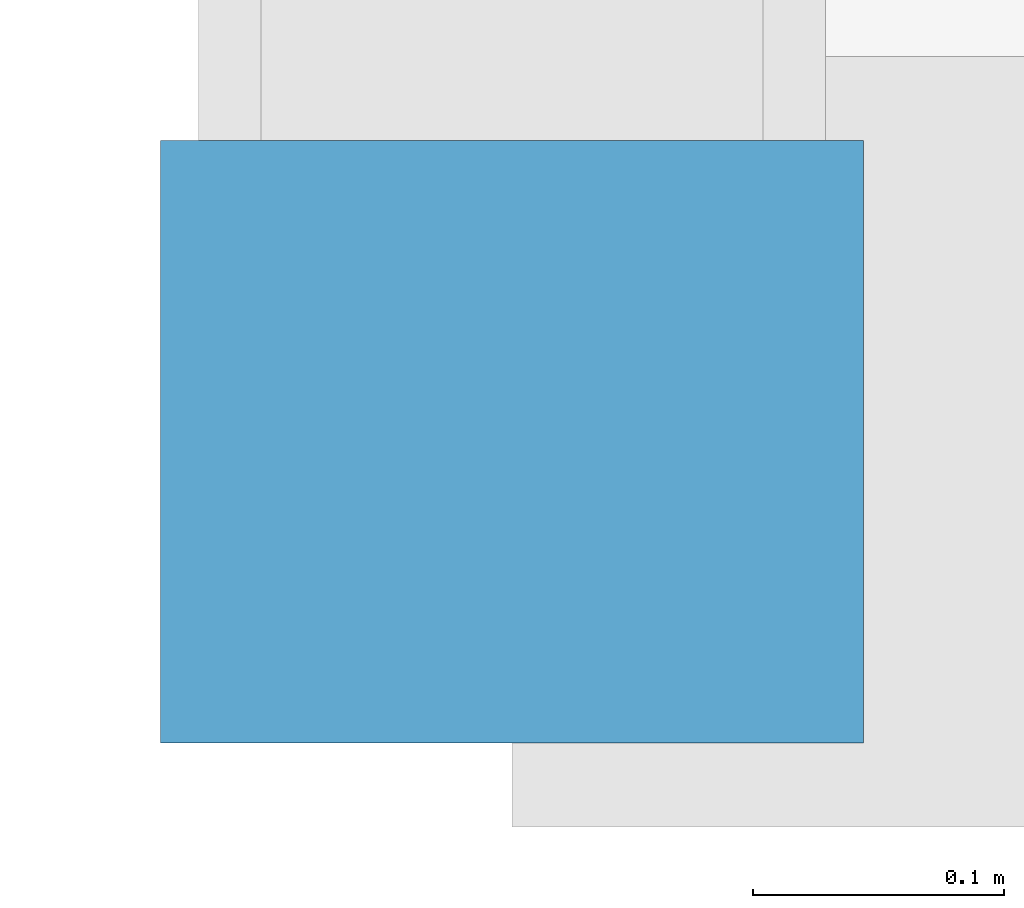
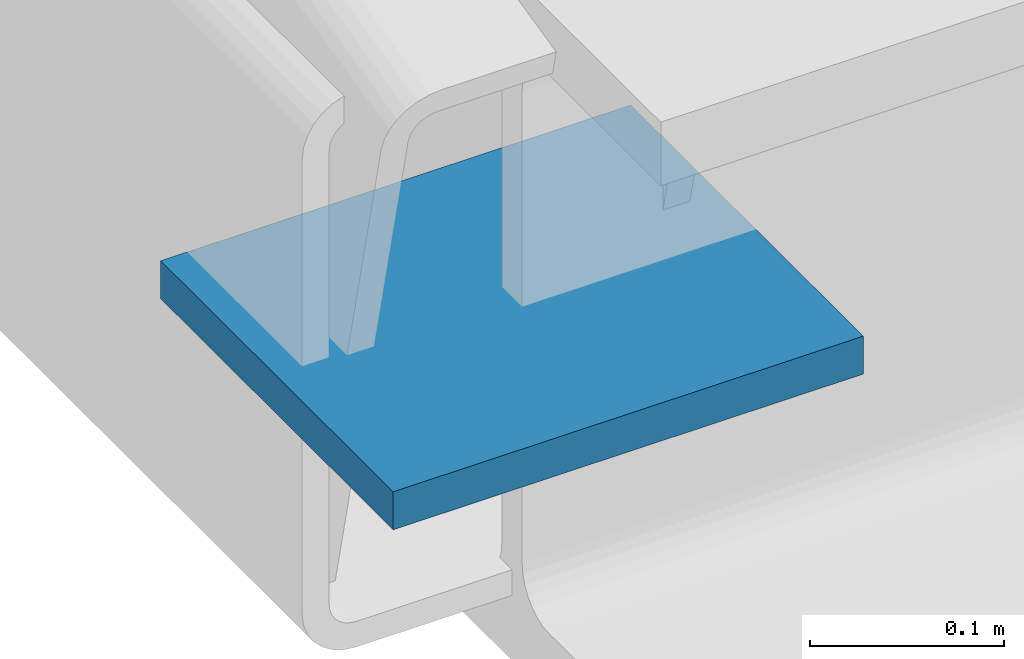
# One storey, part 69 of 82: 1 discrete accessory.
"""IFC4 building model written with IfcOpenShell, lengths in metres."""

from ifc_helpers import new_model, si_unit, direction, frame, origin, origin_2d, place, context, subcontext, project, spatial, rectangle, extrude, material, type_object, element, save


model = new_model("IFC4")

# Units and contexts
model_context = context("Model", 3, precision=1e-05, world=origin(), true_north=direction((0.0, 1.0)))
body_context = subcontext(model_context, "Body", "Model", "MODEL_VIEW")
ifc_project = project(units=[si_unit("LENGTHUNIT", "METRE"), si_unit("AREAUNIT", "SQUARE_METRE"), si_unit("VOLUMEUNIT", "CUBIC_METRE"), si_unit("PLANEANGLEUNIT", "RADIAN"), si_unit("MASSUNIT", "GRAM", prefix="KILO")], contexts=[model_context])

# Site, building, storey
site_placement = place(None, origin())
site = spatial("IfcSite", under=ifc_project, at=site_placement, CompositionType="ELEMENT")
building_placement = place(site_placement, origin())
building = spatial("IfcBuilding", under=site, at=building_placement, Name="Qasida Concert Hall", CompositionType="ELEMENT")
storey_placement = place(building_placement, frame((0.0, 0.0, 17.10009765625)))
storey = spatial("IfcBuildingStorey", under=building, at=storey_placement, Name="L04", CompositionType="ELEMENT", Elevation=17.10009765625)

# Discrete accessory
ifc_material = material(Name="Steel S355J2", Category="steel")
discrete_accessory_type = type_object("IfcDiscreteAccessoryType", Name="ACC-CONN-S355", PredefinedType="BRACKET", material=ifc_material)
discrete_accessory_placement = place(storey_placement, frame((127.5, 75.0, -0.011962890625), z_axis=(0.0, 0.0, 1.0), x_axis=(1.0, 0.0, 0.0)))
element("IfcDiscreteAccessory", 1, at=discrete_accessory_placement, inside=storey, type_object=discrete_accessory_type, Name="Steel brace/strut end connection CN-0114", PredefinedType="BRACKET", context=body_context, shape_type="SweptSolid", body=[
    extrude(rectangle(XDim=0.280029296875, YDim=0.239990234375, at=origin_2d()), origin(), (0.0, 0.0, 1.0), 0.02392578125),
])

save(model, "model.ifc")
